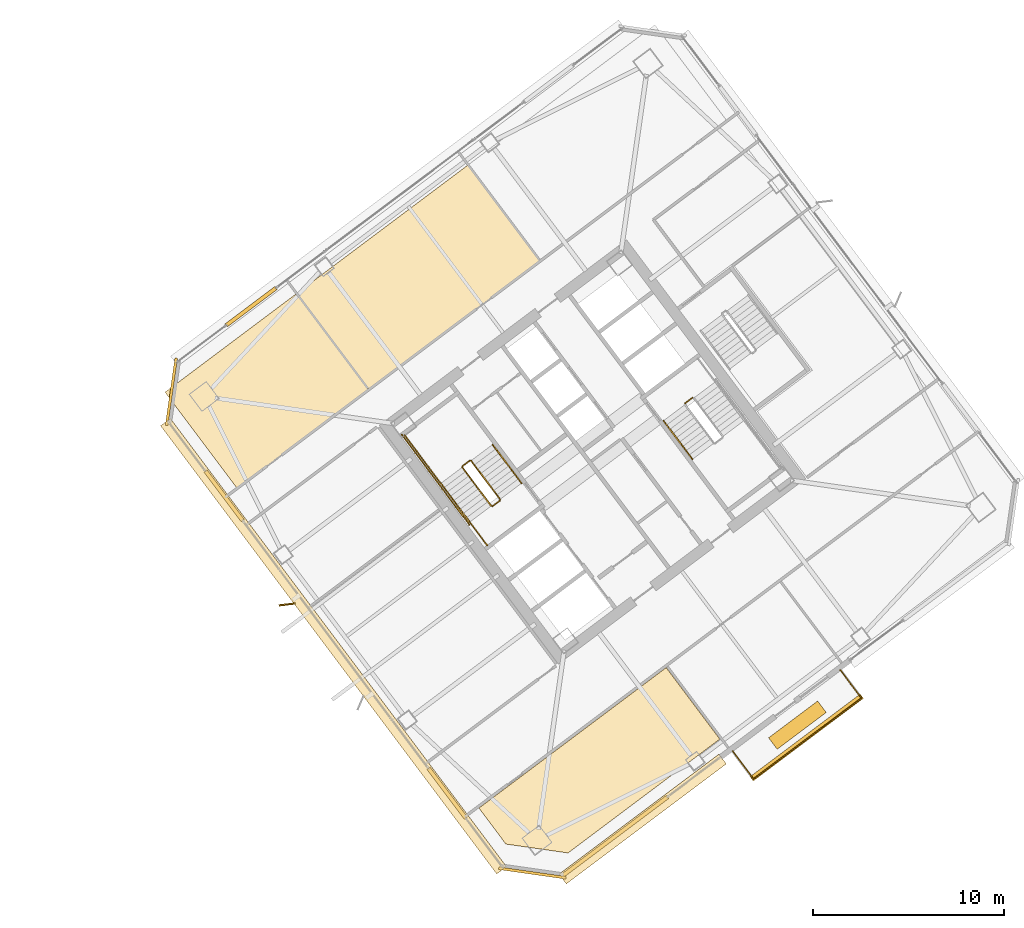
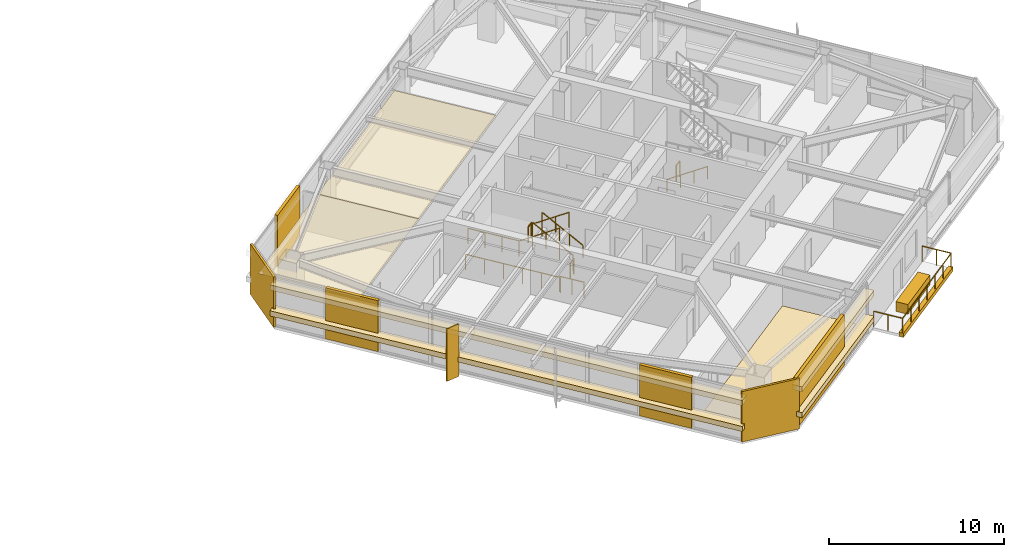
# One storey, part 44 of 46: 15 coverings, 14 railings, 1 shading device.
"""IFC4 building model written with IfcOpenShell, lengths in metres."""

from ifc_helpers import new_model, si_unit, direction, frame, origin, origin_2d, place, context, subcontext, project, spatial, polyline, rectangle, outline, extrude, material, layer, layer_set, type_object, element, save


model = new_model("IFC4")

# Units and contexts
model_context = context("Model", 3, precision=1e-05, world=origin(), true_north=direction((0.0, 1.0)))
body_context = subcontext(model_context, "Body", "Model", "MODEL_VIEW")
ifc_project = project(units=[si_unit("LENGTHUNIT", "METRE"), si_unit("AREAUNIT", "SQUARE_METRE"), si_unit("VOLUMEUNIT", "CUBIC_METRE"), si_unit("PLANEANGLEUNIT", "RADIAN"), si_unit("MASSUNIT", "GRAM", prefix="KILO")], contexts=[model_context])

# Site, building, storey
site_placement = place(None, origin())
site = spatial("IfcSite", under=ifc_project, at=site_placement, CompositionType="ELEMENT")
building_placement = place(site_placement, origin())
building = spatial("IfcBuilding", under=site, at=building_placement, Name="Tashvorn Skyway Center", CompositionType="ELEMENT")
storey_placement = place(building_placement, frame((0.0, 0.0, 167.64990234375)))
storey = spatial("IfcBuildingStorey", under=building, at=storey_placement, Name="L45", CompositionType="ELEMENT", Elevation=167.64990234375)

# Coverings
ifc_material_1 = material(Name="Precast concrete C40/50", Category="concrete")
ifc_layer_1 = layer(ifc_material_1, 0.199951171875)
ifc_layer_set_1 = layer_set([ifc_layer_1], Name="Precast concrete C40/50")
covering_type_1 = type_object("IfcCoveringType", Name="COV-BRACE-CLAD", PredefinedType="CLADDING", material=ifc_layer_set_1)
covering_1_placement = place(storey_placement, frame((115.15869140625, 11.89404296875, 0.0), z_axis=(0.0, 0.0, 1.0), x_axis=(-0.799999996291, -0.600000004945, 0.0)))
element("IfcCovering", 1, at=covering_1_placement, inside=storey, type_object=covering_type_1, Name="Tower 2 L45 South Curtain Wall R Mega-Brace Cladding Band 1", PredefinedType="CLADDING", context=body_context, shape_type="SweptSolid", body=[
    extrude(rectangle(XDim=6.88671875, YDim=0.199951171875, at=origin_2d()), origin(), (0.0, 0.0, 1.0), 3.550048828125),
])
for number, where, z_axis, x_axis, name in (
    (2, (106.407958984375, 14.156005859375, 0.0), (0.0, 0.0, 1.0), (-0.600000004945, 0.799999996291, 0.0), "Tower 2 L45 West Unitised Curtain Wall Mega-Brace Cladding Band 1"),
    (3, (94.743896484375, 29.7080078125, 0.0), (0.0, 0.0, 1.0), (-0.600000004945, 0.799999996291, 0.0), "Tower 2 L45 West Unitised Curtain Wall Mega-Brace Cladding Band 2"),
    (4, (96.156005859375, 39.592041015625, 0.0), (0.0, 0.0, 1.0), (0.799999996291, 0.600000004945, 0.0), "Tower 2 L45 North Unitised Curtain Wall Mega-Brace Cladding Band 1"),
):
    element("IfcCovering", number, at=place(storey_placement, frame(where, z_axis=z_axis, x_axis=x_axis)), inside=storey, type_object=covering_type_1, Name=name, PredefinedType="CLADDING", context=body_context, shape_type="SweptSolid", body=[
        extrude(rectangle(XDim=3.239990234375, YDim=0.199951171875, at=origin_2d()), origin(), (0.0, 0.0, 1.0), 3.550048828125),
    ])
ifc_material_2 = material(Name="Mineral-fibre acoustic ceiling tile on suspended grid")
ifc_layer_2 = layer(ifc_material_2, 0.02001953125)
ifc_layer_set_2 = layer_set([ifc_layer_2], Name="Mineral-fibre acoustic ceiling tile on suspended grid")
covering_type_2 = type_object("IfcCoveringType", Name="COV-CEIL-20", PredefinedType="CEILING", material=ifc_layer_set_2)
covering_2_placement = place(storey_placement, frame((0.0, 0.0, 2.703125)))
element("IfcCovering", 5, at=covering_2_placement, inside=storey, type_object=covering_type_2, Name="Tower 2 L45 Open Plan Office Acoustic Ceiling", PredefinedType="CEILING", context=body_context, shape_type="SweptSolid", body=[
    extrude(outline(polyline([(95.427978515625, 30.095947265625), (102.30810546875, 35.256103515625), (98.5400390625, 40.280029296875), (91.659912109375, 35.1201171875), (95.427978515625, 30.095947265625)])), origin(), (0.0, 0.0, 1.0), 0.02001953125),
])
covering_3_placement = place(storey_placement, frame((0.0, 0.0, 2.703125)))
element("IfcCovering", 6, at=covering_3_placement, inside=storey, type_object=covering_type_2, Name="Tower 2 L45 Open Plan Office Acoustic Ceiling", PredefinedType="CEILING", context=body_context, shape_type="SweptSolid", body=[
    extrude(outline(polyline([(102.30810546875, 35.256103515625), (111.26806640625, 41.97607421875), (107.5, 47.0), (98.5400390625, 40.280029296875), (102.30810546875, 35.256103515625)])), origin(), (0.0, 0.0, 1.0), 0.02001953125),
])
ifc_material_3 = material(Name="Polished Mojave desert-aggregate terrazzo and cover plate")
ifc_layer_3 = layer(ifc_material_3, 0.0400390625)
ifc_layer_set_3 = layer_set([ifc_layer_3], Name="Polished Mojave desert-aggregate terrazzo and cover plate")
covering_type_3 = type_object("IfcCoveringType", Name="COV-FLR-40", PredefinedType="FLOORING", material=ifc_layer_set_3)
covering_4_placement = place(storey_placement, origin())
element("IfcCovering", 7, at=covering_4_placement, inside=storey, type_object=covering_type_3, Name="Tower 2 L45 Open Plan Office Finish Flooring", PredefinedType="FLOORING", context=body_context, shape_type="SweptSolid", body=[
    extrude(outline(polyline([(112.719970703125, 11.0400390625), (109.471923828125, 11.50390625), (108.06201171875, 13.384033203125), (117.85400390625, 20.72802734375), (120.656005859375, 16.991943359375), (112.719970703125, 11.0400390625)])), origin(), (0.0, 0.0, 1.0), 0.0400390625),
])
ifc_material_4 = material(Name="Perforated ceramic-coated bronze aluminium solar screen", Category="aluminium")
ifc_layer_4 = layer(ifc_material_4, 0.85009765625)
ifc_layer_set_4 = layer_set([ifc_layer_4], Name="Perforated ceramic-coated bronze aluminium solar screen")
covering_type_4 = type_object("IfcCoveringType", Name="COV-SOLAR-BAND", PredefinedType="CLADDING", material=ifc_layer_set_4)
for number, where, z_axis, x_axis, name in (
    (8, (116.6201171875, 12.81494140625, 0.919921875), (0.0, 0.0, 1.0), (-0.799999996291, -0.600000004945, 0.0), "L45 Perforated Ceramic-Metal Solar Screen Louvre Band South 1"),
    (9, (116.6201171875, 12.81494140625, 2.72021484375), (0.0, 0.0, 1.0), (-0.799999996291, -0.600000004945, 0.0), "L45 Perforated Ceramic-Metal Solar Screen Louvre Band South 2"),
):
    element("IfcCovering", number, at=place(storey_placement, frame(where, z_axis=z_axis, x_axis=x_axis)), inside=storey, type_object=covering_type_4, Name=name, PredefinedType="CLADDING", context=body_context, shape_type="SweptSolid", body=[
        extrude(rectangle(XDim=10.449951171875, YDim=0.639892578125, at=origin_2d()), origin(), (0.0, 0.0, 1.0), 0.360107421875),
    ])
for number, where, z_axis, x_axis, name in (
    (10, (100.464111328125, 21.847900390625, 0.919921875), (0.0, 0.0, 1.0), (-0.600000004945, 0.799999996291, 0.0), "L45 Perforated Ceramic-Metal Solar Screen Louvre Band West 1"),
    (11, (100.464111328125, 21.847900390625, 2.72021484375), (0.0, 0.0, 1.0), (-0.600000004945, 0.799999996291, 0.0), "L45 Perforated Ceramic-Metal Solar Screen Louvre Band West 2"),
):
    element("IfcCovering", number, at=place(storey_placement, frame(where, z_axis=z_axis, x_axis=x_axis)), inside=storey, type_object=covering_type_4, Name=name, PredefinedType="CLADDING", context=body_context, shape_type="SweptSolid", body=[
        extrude(rectangle(XDim=29.280029296875, YDim=0.639892578125, at=origin_2d()), origin(), (0.0, 0.0, 1.0), 0.360107421875),
    ])
ifc_layer_5 = layer(ifc_material_1, 0.35009765625)
ifc_layer_set_5 = layer_set([ifc_layer_5], Name="Precast concrete C40/50")
covering_type_5 = type_object("IfcCoveringType", Name="COV-STONE-TRIM", PredefinedType="CLADDING", material=ifc_layer_set_5)
covering_5_placement = place(storey_placement, frame((125.196044921875, 17.072021484375, -0.16015625), z_axis=(0.0, 0.0, 1.0), x_axis=(-0.799999996291, -0.600000004945, 0.0)))
element("IfcCovering", 12, at=covering_5_placement, inside=storey, type_object=covering_type_5, Name="Tower 2 L45 Spiral Terrace Terracotta Fascia", PredefinedType="CLADDING", context=body_context, shape_type="SweptSolid", body=[
    extrude(rectangle(XDim=7.199951171875, YDim=0.280029296875, at=origin_2d()), origin(), (0.0, 0.0, 1.0), 0.280029296875),
])
covering_6_placement = place(storey_placement, frame((124.7099609375, 17.719970703125, 0.0), z_axis=(0.0, 0.0, 1.0), x_axis=(-0.799999996291, -0.600000004945, 0.0)))
element("IfcCovering", 13, at=covering_6_placement, inside=storey, type_object=covering_type_5, Name="Tower 2 L45 Spiral Terrace Planter", PredefinedType="CLADDING", context=body_context, shape_type="SweptSolid", body=[
    extrude(rectangle(XDim=3.199951171875, YDim=0.75, at=origin_2d()), origin(), (0.0, 0.0, 1.0), 0.679931640625),
])
for number, where, z_axis, x_axis, name in (
    (14, (110.85595703125, 9.991943359375, 0.02001953125), (0.0, 0.0, 1.0), (-0.989949494535, 0.141421350118, 0.0), "Tower 2 L45 SW Mojave Limestone Corner Quoin"),
    (15, (91.991943359375, 35.14404296875, 0.02001953125), (0.0, 0.0, 1.0), (-0.141421350118, -0.989949494535, 0.0), "Tower 2 L45 NW Mojave Limestone Corner Quoin"),
):
    element("IfcCovering", number, at=place(storey_placement, frame(where, z_axis=z_axis, x_axis=x_axis)), inside=storey, type_object=covering_type_5, Name=name, PredefinedType="CLADDING", context=body_context, shape_type="SweptSolid", body=[
        extrude(rectangle(XDim=3.55419921875, YDim=0.139892578125, at=origin_2d()), origin(), (0.0, 0.0, 1.0), 3.510009765625),
    ])

# Railings
ifc_material_5 = material(Name="Galvanized steel S355", Category="steel")
railing_type_1 = type_object("IfcRailingType", Name="RAIL-GUARD-1120", PredefinedType="GUARDRAIL", material=ifc_material_5)
railing_1_placement = place(storey_placement, frame((121.323974609375, 16.367919921875, 0.0)))
element("IfcRailing", 16, at=railing_1_placement, inside=storey, type_object=railing_type_1, Name="L45 Tower 2 Terrace Guardrail 01", PredefinedType="GUARDRAIL", context=body_context, shape_type="SweptSolid", body=[
    extrude(rectangle(XDim=0.048095703125, YDim=0.048095703125, at=origin_2d()), frame((0.0, 0.0, 1.09619140625), z_axis=(0.600064391284, -0.799951702488, 0.0), x_axis=(0.799951702488, 0.600064391284, 0.0)), (0.0, 0.0, 1.0), 1.81982421875),
    extrude(rectangle(XDim=0.0419921875, YDim=0.0419921875, at=origin_2d()), origin(), (0.0, 0.0, 1.0), 1.072021484375),
    extrude(rectangle(XDim=0.0419921875, YDim=0.0419921875, at=origin_2d()), frame((0.5458984375, -0.72802734375, 0.0)), (0.0, 0.0, 1.0), 1.072021484375),
    extrude(rectangle(XDim=0.0419921875, YDim=0.0419921875, at=origin_2d()), frame((1.092041015625, -1.455810546875, 0.0)), (0.0, 0.0, 1.0), 1.072021484375),
])
railing_2_placement = place(storey_placement, frame((122.416015625, 14.912109375, 0.0)))
element("IfcRailing", 17, at=railing_2_placement, inside=storey, type_object=railing_type_1, Name="L45 Tower 2 Terrace Guardrail 02", PredefinedType="GUARDRAIL", context=body_context, shape_type="SweptSolid", body=[
    extrude(rectangle(XDim=0.048095703125, YDim=0.048095703125, at=origin_2d()), frame((0.0, 0.0, 1.09619140625), z_axis=(0.800012484308, 0.599983353895, 0.0), x_axis=(-0.599983353895, 0.800012484308, 0.0)), (0.0, 0.0, 1.0), 7.0400390625),
    extrude(rectangle(XDim=0.0419921875, YDim=0.0419921875, at=origin_2d()), origin(), (0.0, 0.0, 1.0), 1.072021484375),
    extrude(rectangle(XDim=0.0419921875, YDim=0.0419921875, at=origin_2d()), frame((0.938720703125, 0.7041015625, 0.0)), (0.0, 0.0, 1.0), 1.072021484375),
    extrude(rectangle(XDim=0.0419921875, YDim=0.0419921875, at=origin_2d()), frame((1.87744140625, 1.407958984375, 0.0)), (0.0, 0.0, 1.0), 1.072021484375),
    extrude(rectangle(XDim=0.0419921875, YDim=0.0419921875, at=origin_2d()), frame((2.81591796875, 2.11181640625, 0.0)), (0.0, 0.0, 1.0), 1.072021484375),
    extrude(rectangle(XDim=0.0419921875, YDim=0.0419921875, at=origin_2d()), frame((3.754638671875, 2.81591796875, 0.0)), (0.0, 0.0, 1.0), 1.072021484375),
    extrude(rectangle(XDim=0.0419921875, YDim=0.0419921875, at=origin_2d()), frame((4.693359375, 3.52001953125, 0.0)), (0.0, 0.0, 1.0), 1.072021484375),
    extrude(rectangle(XDim=0.0419921875, YDim=0.0419921875, at=origin_2d()), frame((5.632080078125, 4.223876953125, 0.0)), (0.0, 0.0, 1.0), 1.072021484375),
])
railing_3_placement = place(storey_placement, frame((128.048095703125, 19.135986328125, 0.0)))
element("IfcRailing", 18, at=railing_3_placement, inside=storey, type_object=railing_type_1, Name="L45 Tower 2 Terrace Guardrail 03", PredefinedType="GUARDRAIL", context=body_context, shape_type="SweptSolid", body=[
    extrude(rectangle(XDim=0.048095703125, YDim=0.048095703125, at=origin_2d()), frame((0.0, 0.0, 1.09619140625), z_axis=(-0.6, 0.8, 0.0), x_axis=(-0.8, -0.6, 0.0)), (0.0, 0.0, 1.0), 1.820068359375),
    extrude(rectangle(XDim=0.0419921875, YDim=0.0419921875, at=origin_2d()), origin(), (0.0, 0.0, 1.0), 1.072021484375),
    extrude(rectangle(XDim=0.0419921875, YDim=0.0419921875, at=origin_2d()), frame((-0.5458984375, 0.72802734375, 0.0)), (0.0, 0.0, 1.0), 1.072021484375),
    extrude(rectangle(XDim=0.0419921875, YDim=0.0419921875, at=origin_2d()), frame((-1.092041015625, 1.4560546875, 0.0)), (0.0, 0.0, 1.0), 1.072021484375),
])
ifc_material_6 = material(Name="Brushed stainless steel 316", Category="steel")
railing_type_2 = type_object("IfcRailingType", Name="RAIL-HAND-920", PredefinedType="HANDRAIL", material=ifc_material_6)
railing_4_placement = place(storey_placement, frame((110.2880859375, 30.365966796875, 0.177490234375)))
element("IfcRailing", 19, at=railing_4_placement, inside=storey, type_object=railing_type_2, Name="L45 ST-T2-1 stair handrail 1", PredefinedType="HANDRAIL", context=body_context, shape_type="SweptSolid", body=[
    extrude(rectangle(XDim=0.048095703125, YDim=0.048095703125, at=origin_2d()), frame((0.0, 0.0, 0.8759765625), z_axis=(-0.506779409603, 0.675651334276, 0.53541563714), x_axis=(-0.799976749893, -0.600030998891, 0.0)), (0.0, 0.0, 1.0), 2.98388671875),
    extrude(rectangle(XDim=0.0419921875, YDim=0.0419921875, at=origin_2d()), origin(), (0.0, 0.0, 1.0), 0.851806640625),
    extrude(rectangle(XDim=0.0419921875, YDim=0.0419921875, at=origin_2d()), frame((-0.504150390625, 0.672119140625, 0.532470703125)), (0.0, 0.0, 1.0), 0.851806640625),
    extrude(rectangle(XDim=0.0419921875, YDim=0.0419921875, at=origin_2d()), frame((-1.008056640625, 1.343994140625, 1.065185546875)), (0.0, 0.0, 1.0), 0.851806640625),
    extrude(rectangle(XDim=0.0419921875, YDim=0.0419921875, at=origin_2d()), frame((-1.51220703125, 2.01611328125, 1.59765625)), (0.0, 0.0, 1.0), 0.851806640625),
])
railing_5_placement = place(storey_placement, frame((106.072021484375, 30.35400390625, 1.95263671875)))
element("IfcRailing", 20, at=railing_5_placement, inside=storey, type_object=railing_type_2, Name="L45 ST-T2-1 stair handrail 2", PredefinedType="HANDRAIL", context=body_context, shape_type="SweptSolid", body=[
    extrude(rectangle(XDim=0.048095703125, YDim=0.048095703125, at=origin_2d()), frame((0.0, 0.0, 0.8759765625), z_axis=(0.506740800098, -0.675708949977, 0.535379469569), x_axis=(0.800023250257, 0.599968998406, 0.0)), (0.0, 0.0, 1.0), 2.983642578125),
    extrude(rectangle(XDim=0.0419921875, YDim=0.0419921875, at=origin_2d()), origin(), (0.0, 0.0, 1.0), 0.851806640625),
    extrude(rectangle(XDim=0.0419921875, YDim=0.0419921875, at=origin_2d()), frame((0.50390625, -0.672119140625, 0.532470703125)), (0.0, 0.0, 1.0), 0.851806640625),
    extrude(rectangle(XDim=0.0419921875, YDim=0.0419921875, at=origin_2d()), frame((1.008056640625, -1.343994140625, 1.06494140625)), (0.0, 0.0, 1.0), 0.851806640625),
    extrude(rectangle(XDim=0.0419921875, YDim=0.0419921875, at=origin_2d()), frame((1.511962890625, -2.01611328125, 1.597412109375)), (0.0, 0.0, 1.0), 0.851806640625),
])
railing_6_placement = place(storey_placement, frame((117.7119140625, 33.634033203125, 0.177490234375)))
element("IfcRailing", 21, at=railing_6_placement, inside=storey, type_object=railing_type_2, Name="L45 ST-T2-2 stair handrail 1", PredefinedType="HANDRAIL", context=body_context, shape_type="SweptSolid", body=[
    extrude(rectangle(XDim=0.048095703125, YDim=0.048095703125, at=origin_2d()), frame((0.0, 0.0, 0.8759765625), z_axis=(0.506779409603, -0.675651334276, 0.53541563714), x_axis=(0.799976749893, 0.600030998891, 0.0)), (0.0, 0.0, 1.0), 2.98388671875),
    extrude(rectangle(XDim=0.0419921875, YDim=0.0419921875, at=origin_2d()), origin(), (0.0, 0.0, 1.0), 0.851806640625),
    extrude(rectangle(XDim=0.0419921875, YDim=0.0419921875, at=origin_2d()), frame((0.504150390625, -0.672119140625, 0.532470703125)), (0.0, 0.0, 1.0), 0.851806640625),
    extrude(rectangle(XDim=0.0419921875, YDim=0.0419921875, at=origin_2d()), frame((1.008056640625, -1.343994140625, 1.065185546875)), (0.0, 0.0, 1.0), 0.851806640625),
    extrude(rectangle(XDim=0.0419921875, YDim=0.0419921875, at=origin_2d()), frame((1.51220703125, -2.01611328125, 1.59765625)), (0.0, 0.0, 1.0), 0.851806640625),
])
ifc_material_7 = material(Name="Painted galvanized steel S355", Category="steel")
railing_type_3 = type_object("IfcRailingType", Name="RAIL-STGUARD-1100", PredefinedType="GUARDRAIL", material=ifc_material_7)
railing_7_placement = place(storey_placement, frame((109.16796875, 29.52587890625, 0.177490234375)))
element("IfcRailing", 22, at=railing_7_placement, inside=storey, type_object=railing_type_3, Name="L45 ST-T2-1 stair guard 1", PredefinedType="GUARDRAIL", context=body_context, shape_type="SweptSolid", body=[
    extrude(rectangle(XDim=0.048095703125, YDim=0.048095703125, at=origin_2d()), frame((0.0, 0.0, 1.076171875), z_axis=(-0.506718600913, 0.675679348675, 0.535437836974), x_axis=(-0.800023250257, -0.599968998406, 0.0)), (0.0, 0.0, 1.0), 2.98388671875),
    extrude(rectangle(XDim=0.0419921875, YDim=0.0419921875, at=origin_2d()), origin(), (0.0, 0.0, 1.0), 1.052001953125),
    extrude(rectangle(XDim=0.0419921875, YDim=0.0419921875, at=origin_2d()), frame((-0.50390625, 0.672119140625, 0.532470703125)), (0.0, 0.0, 1.0), 1.052001953125),
    extrude(rectangle(XDim=0.0419921875, YDim=0.0419921875, at=origin_2d()), frame((-1.008056640625, 1.343994140625, 1.065185546875)), (0.0, 0.0, 1.0), 1.052001953125),
    extrude(rectangle(XDim=0.0419921875, YDim=0.0419921875, at=origin_2d()), frame((-1.511962890625, 2.01611328125, 1.59765625)), (0.0, 0.0, 1.0), 1.052001953125),
])
railing_8_placement = place(storey_placement, frame((107.5859375, 31.552001953125, 1.775146484375)))
element("IfcRailing", 23, at=railing_8_placement, inside=storey, type_object=railing_type_3, Name="L45 ST-T2-1 stair guard 2", PredefinedType="GUARDRAIL", context=body_context, shape_type="SweptSolid", body=[
    extrude(rectangle(XDim=0.048095703125, YDim=0.048095703125, at=origin_2d()), frame((0.0, 0.0, 1.076171875), z_axis=(-0.799938970639, -0.600081363861, 0.0), x_axis=(0.600081363861, -0.799938970639, 0.0)), (0.0, 0.0, 1.0), 0.47998046875),
    extrude(rectangle(XDim=0.0419921875, YDim=0.0419921875, at=origin_2d()), origin(), (0.0, 0.0, 1.0), 1.052001953125),
    extrude(rectangle(XDim=0.0419921875, YDim=0.0419921875, at=origin_2d()), frame((-0.384033203125, -0.2880859375, 0.0)), (0.0, 0.0, 1.0), 1.052001953125),
])
railing_9_placement = place(storey_placement, frame((106.072021484375, 30.35400390625, 1.775146484375)))
element("IfcRailing", 24, at=railing_9_placement, inside=storey, type_object=railing_type_3, Name="L45 ST-T2-1 stair guard 3", PredefinedType="GUARDRAIL", context=body_context, shape_type="SweptSolid", body=[
    extrude(rectangle(XDim=0.048095703125, YDim=0.048095703125, at=origin_2d()), frame((0.0, 0.0, 1.076171875), z_axis=(-0.599987638607, 0.800009270896, 0.0), x_axis=(-0.800009270896, -0.599987638607, 0.0)), (0.0, 0.0, 1.0), 3.16015625),
    extrude(rectangle(XDim=0.0419921875, YDim=0.0419921875, at=origin_2d()), origin(), (0.0, 0.0, 1.0), 1.052001953125),
    extrude(rectangle(XDim=0.0419921875, YDim=0.0419921875, at=origin_2d()), frame((-0.632080078125, 0.8427734375, 0.0)), (0.0, 0.0, 1.0), 1.052001953125),
    extrude(rectangle(XDim=0.0419921875, YDim=0.0419921875, at=origin_2d()), frame((-1.263916015625, 1.685302734375, 0.0)), (0.0, 0.0, 1.0), 1.052001953125),
    extrude(rectangle(XDim=0.0419921875, YDim=0.0419921875, at=origin_2d()), frame((-1.89599609375, 2.528076171875, 0.0)), (0.0, 0.0, 1.0), 1.052001953125),
])
railing_10_placement = place(storey_placement, frame((107.19189453125, 31.194091796875, 1.95263671875)))
element("IfcRailing", 25, at=railing_10_placement, inside=storey, type_object=railing_type_3, Name="L45 ST-T2-1 stair guard 4", PredefinedType="GUARDRAIL", context=body_context, shape_type="SweptSolid", body=[
    extrude(rectangle(XDim=0.048095703125, YDim=0.048095703125, at=origin_2d()), frame((0.0, 0.0, 1.076171875), z_axis=(0.506801609611, -0.675680931896, 0.535357270211), x_axis=(0.799976749893, 0.600030998891, 0.0)), (0.0, 0.0, 1.0), 2.98388671875),
    extrude(rectangle(XDim=0.0419921875, YDim=0.0419921875, at=origin_2d()), origin(), (0.0, 0.0, 1.0), 1.052001953125),
    extrude(rectangle(XDim=0.0419921875, YDim=0.0419921875, at=origin_2d()), frame((0.504150390625, -0.672119140625, 0.532470703125)), (0.0, 0.0, 1.0), 1.052001953125),
    extrude(rectangle(XDim=0.0419921875, YDim=0.0419921875, at=origin_2d()), frame((1.008056640625, -1.343994140625, 1.06494140625)), (0.0, 0.0, 1.0), 1.052001953125),
    extrude(rectangle(XDim=0.0419921875, YDim=0.0419921875, at=origin_2d()), frame((1.51220703125, -2.01611328125, 1.597412109375)), (0.0, 0.0, 1.0), 1.052001953125),
])
railing_11_placement = place(storey_placement, frame((109.157958984375, 29.4560546875, 0.0)))
element("IfcRailing", 26, at=railing_11_placement, inside=storey, type_object=railing_type_3, Name="L45 ST-T2-1 stair guard 5", PredefinedType="GUARDRAIL", context=body_context, shape_type="SweptSolid", body=[
    extrude(rectangle(XDim=0.048095703125, YDim=0.048095703125, at=origin_2d()), frame((0.0, 0.0, 1.076171875), z_axis=(-0.799938970639, -0.600081363861, 0.0), x_axis=(0.600081363861, -0.799938970639, 0.0)), (0.0, 0.0, 1.0), 0.47998046875),
    extrude(rectangle(XDim=0.0419921875, YDim=0.0419921875, at=origin_2d()), origin(), (0.0, 0.0, 1.0), 1.052001953125),
    extrude(rectangle(XDim=0.0419921875, YDim=0.0419921875, at=origin_2d()), frame((-0.384033203125, -0.2880859375, 0.0)), (0.0, 0.0, 1.0), 1.052001953125),
])
railing_12_placement = place(storey_placement, frame((108.49609375, 27.1220703125, 0.0)))
element("IfcRailing", 27, at=railing_12_placement, inside=storey, type_object=railing_type_3, Name="L45 ST-T2-1 stair guard 6", PredefinedType="GUARDRAIL", context=body_context, shape_type="SweptSolid", body=[
    extrude(rectangle(XDim=0.048095703125, YDim=0.048095703125, at=origin_2d()), frame((0.0, 0.0, 1.076171875), z_axis=(-0.600102796382, 0.799922892393, 0.0), x_axis=(-0.799922892393, -0.600102796382, 0.0)), (0.0, 0.0, 1.0), 1.52001953125),
    extrude(rectangle(XDim=0.0419921875, YDim=0.0419921875, at=origin_2d()), origin(), (0.0, 0.0, 1.0), 1.052001953125),
    extrude(rectangle(XDim=0.0419921875, YDim=0.0419921875, at=origin_2d()), frame((-0.4560546875, 0.60791015625, 0.0)), (0.0, 0.0, 1.0), 1.052001953125),
    extrude(rectangle(XDim=0.0419921875, YDim=0.0419921875, at=origin_2d()), frame((-0.912109375, 1.2158203125, 0.0)), (0.0, 0.0, 1.0), 1.052001953125),
])
railing_13_placement = place(storey_placement, frame((107.56396484375, 28.197998046875, 0.0)))
element("IfcRailing", 28, at=railing_13_placement, inside=storey, type_object=railing_type_3, Name="L45 ST-T2-1 stair guard 7", PredefinedType="GUARDRAIL", context=body_context, shape_type="SweptSolid", body=[
    extrude(rectangle(XDim=0.048095703125, YDim=0.048095703125, at=origin_2d()), frame((0.0, 0.0, 1.076171875), z_axis=(-0.6, 0.8, 0.0), x_axis=(-0.8, -0.6, 0.0)), (0.0, 0.0, 1.0), 5.880126953125),
    extrude(rectangle(XDim=0.0419921875, YDim=0.0419921875, at=origin_2d()), origin(), (0.0, 0.0, 1.0), 1.052001953125),
    extrude(rectangle(XDim=0.0419921875, YDim=0.0419921875, at=origin_2d()), frame((-0.70556640625, 0.94091796875, 0.0)), (0.0, 0.0, 1.0), 1.052001953125),
    extrude(rectangle(XDim=0.0419921875, YDim=0.0419921875, at=origin_2d()), frame((-1.4111328125, 1.881591796875, 0.0)), (0.0, 0.0, 1.0), 1.052001953125),
    extrude(rectangle(XDim=0.0419921875, YDim=0.0419921875, at=origin_2d()), frame((-2.116943359375, 2.822509765625, 0.0)), (0.0, 0.0, 1.0), 1.052001953125),
    extrude(rectangle(XDim=0.0419921875, YDim=0.0419921875, at=origin_2d()), frame((-2.822509765625, 3.76318359375, 0.0)), (0.0, 0.0, 1.0), 1.052001953125),
    extrude(rectangle(XDim=0.0419921875, YDim=0.0419921875, at=origin_2d()), frame((-3.528076171875, 4.7041015625, 0.0)), (0.0, 0.0, 1.0), 1.052001953125),
])
railing_14_placement = place(storey_placement, frame((118.842041015625, 34.5439453125, 0.0)))
element("IfcRailing", 29, at=railing_14_placement, inside=storey, type_object=railing_type_3, Name="L45 ST-T2-2 stair guard 5", PredefinedType="GUARDRAIL", context=body_context, shape_type="SweptSolid", body=[
    extrude(rectangle(XDim=0.048095703125, YDim=0.048095703125, at=origin_2d()), frame((0.0, 0.0, 1.076171875), z_axis=(0.799938970639, 0.600081363861, 0.0), x_axis=(-0.600081363861, 0.799938970639, 0.0)), (0.0, 0.0, 1.0), 0.47998046875),
    extrude(rectangle(XDim=0.0419921875, YDim=0.0419921875, at=origin_2d()), origin(), (0.0, 0.0, 1.0), 1.052001953125),
    extrude(rectangle(XDim=0.0419921875, YDim=0.0419921875, at=origin_2d()), frame((0.384033203125, 0.2880859375, 0.0)), (0.0, 0.0, 1.0), 1.052001953125),
])

# Shading device
ifc_layer_6 = layer(ifc_material_4, 0.06005859375)
ifc_layer_set_6 = layer_set([ifc_layer_6], Name="Perforated ceramic-coated bronze aluminium solar screen")
shading_device_type = type_object("IfcShadingDeviceType", Name="SHD-SOLAR-850", PredefinedType="USERDEFINED", material=ifc_layer_set_6)
shading_device_placement = place(storey_placement, frame((98.0400390625, 24.030029296875, -0.099853515625), z_axis=(0.0, 0.0, 1.0), x_axis=(-0.119615248407, 0.992820322288, 0.0)))
element("IfcShadingDevice", 30, at=shading_device_placement, inside=storey, type_object=shading_device_type, Name="Tower 2 L45 Perforated Ceramic-Metal Solar Screen W2", ObjectType="SCREEN", PredefinedType="USERDEFINED", context=body_context, shape_type="SweptSolid", body=[
    extrude(rectangle(XDim=0.080078125, YDim=0.85009765625, at=origin_2d()), origin(), (0.0, 0.0, 1.0), 3.64990234375),
])

save(model, "model.ifc")
